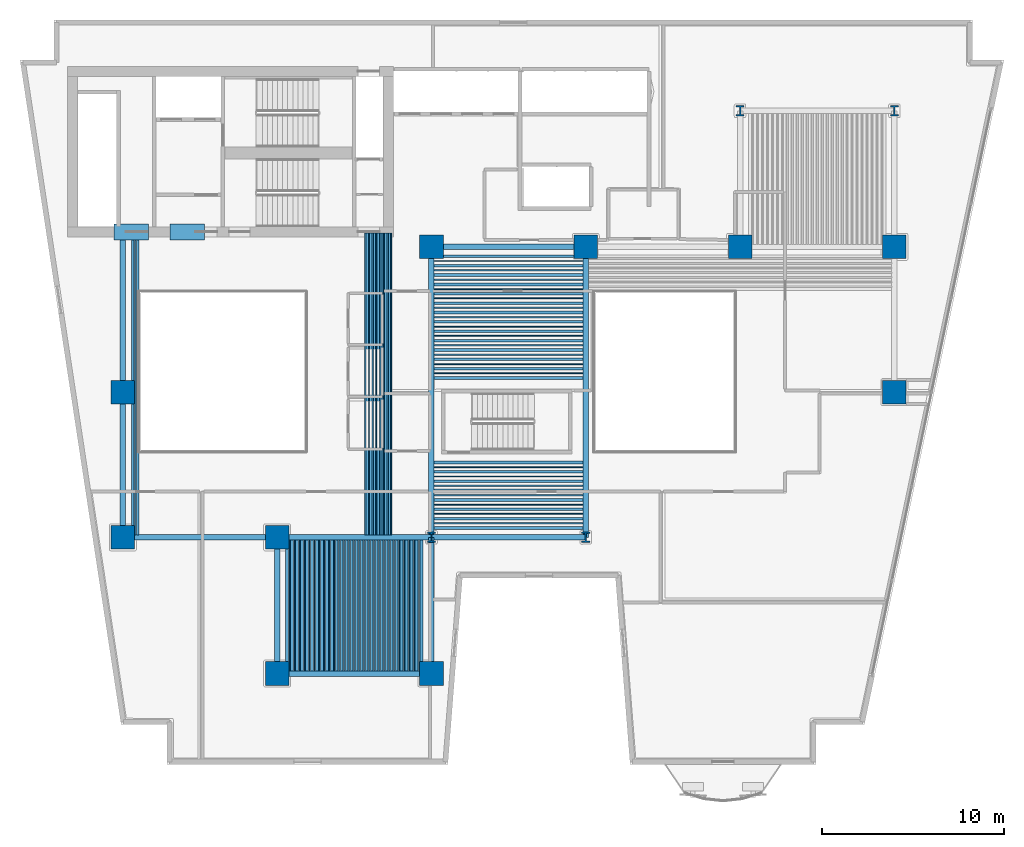
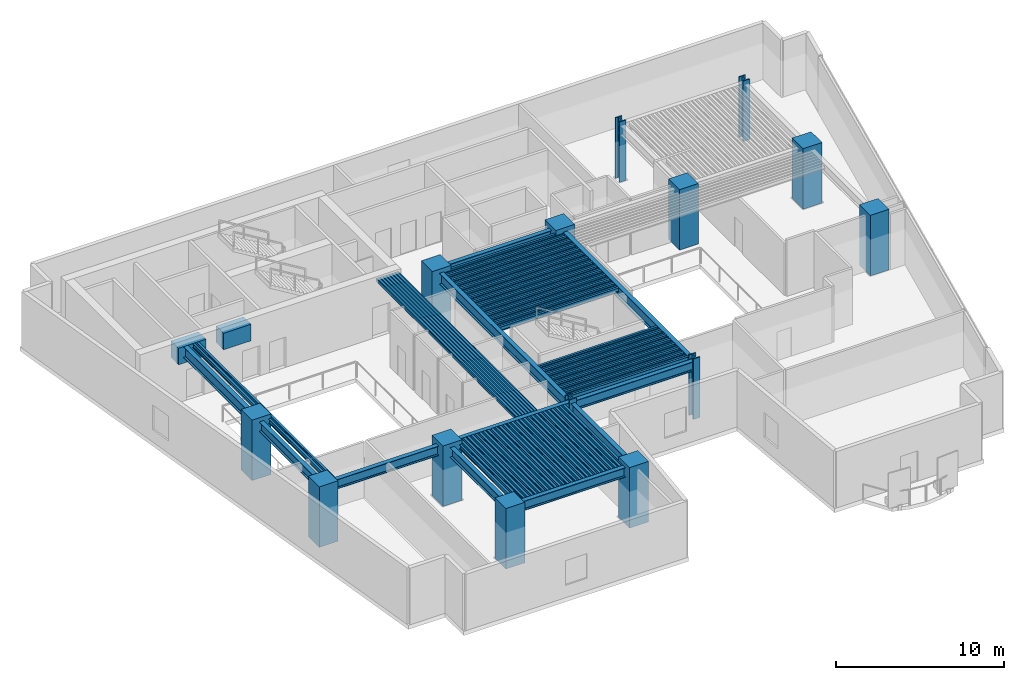
# One storey, part 1 of 11: 128 beams, 14 columns.
"""IFC4 building model written with IfcOpenShell, lengths in metres."""

import ifcopenshell
import ifcopenshell.guid

model = None  # the IFC model being written
_history = None  # IfcOwnerHistory: only IFC2X3 demands one
_inside = {}  # id of a spatial element -> (the spatial element, [elements in it])
_under = {}  # id of a project, library or spatial element -> (it, [spatial elements below it])
_declared = {}  # id of a project -> (the project, [libraries it declares])
_typed = {}  # id of a type object -> (the type object, [elements of that type])
_made_of = {}  # id of a material, layer set ... -> (it, [elements and type objects made of it])


def new_model(schema):
    """Start an empty IFC model of exactly this schema.

    Asked for "IFC4X3", IfcOpenShell would pick the latest addendum, in which some entities
    have other attributes; the version numbers below select the first issue.
    IFC2X3 requires an IfcOwnerHistory on every rooted entity: one is made here for all.
    """
    global model, _history
    if schema == "IFC4X3":
        model = ifcopenshell.file(schema_version=(4, 3, 0, 0))
    else:
        model = ifcopenshell.file(schema=schema)
    _inside.clear()
    _under.clear()
    _declared.clear()
    _typed.clear()
    _made_of.clear()
    _history = None
    if model.schema == "IFC2X3":
        org = make("IfcOrganization", Name="unknown")
        user = make(
            "IfcPersonAndOrganization",
            ThePerson=make("IfcPerson", FamilyName="unknown"),
            TheOrganization=org,
        )
        app = make(
            "IfcApplication",
            ApplicationDeveloper=org,
            Version="unknown",
            ApplicationFullName="unknown",
            ApplicationIdentifier="unknown",
        )
        _history = make(
            "IfcOwnerHistory",
            OwningUser=user,
            OwningApplication=app,
            ChangeAction="ADDED",
            CreationDate=0,
        )
    return model


def make(cls, **values):
    """One entity of the class cls with the attributes given. An attribute that is None is left unset."""
    return model.create_entity(
        cls, **{name: value for name, value in values.items() if value is not None}
    )


def rooted(cls, **values):
    """An entity with a GlobalId (a new one), such as an element, a storey or a relation."""
    return make(cls, GlobalId=ifcopenshell.guid.new(), OwnerHistory=_history, **values)


def si_unit(unit_type, name, prefix=None):
    """IfcSIUnit, for example si_unit("LENGTHUNIT", "METRE", prefix="MILLI")."""
    return make("IfcSIUnit", UnitType=unit_type, Prefix=prefix, Name=name)


def assignment(units):
    """IfcUnitAssignment: the units of a project."""
    return None if units is None else make("IfcUnitAssignment", Units=units)


def point(xyz):
    """IfcCartesianPoint."""
    return None if xyz is None else make("IfcCartesianPoint", Coordinates=xyz)


def direction(xyz):
    """IfcDirection."""
    return None if xyz is None else make("IfcDirection", DirectionRatios=xyz)


def frame(location, z_axis=None, x_axis=None):
    """IfcAxis2Placement3D, a coordinate frame: its origin and axes. An axis left out is left unset."""
    return make(
        "IfcAxis2Placement3D",
        Location=point(location),
        Axis=direction(z_axis),
        RefDirection=direction(x_axis),
    )


def frame_2d(location, x_axis=None):
    """IfcAxis2Placement2D, a coordinate frame in the plane: its origin and x axis."""
    return make(
        "IfcAxis2Placement2D", Location=point(location), RefDirection=direction(x_axis)
    )


def origin():
    """The frame at (0, 0, 0) with its axes left unset."""
    return frame((0.0, 0.0, 0.0))


def origin_2d():
    """The frame at (0, 0) in the plane with its x axis left unset."""
    return frame_2d((0.0, 0.0))


def place(relative_to, where):
    """IfcLocalPlacement: puts the frame where relative to a parent placement (None: the world)."""
    return make(
        "IfcLocalPlacement", PlacementRelTo=relative_to, RelativePlacement=where
    )


def context(
    kind, dimensions, precision=None, world=None, true_north=None, identifier=None
):
    """IfcGeometricRepresentationContext, for example the 3D "Model" context."""
    return make(
        "IfcGeometricRepresentationContext",
        ContextIdentifier=identifier,
        ContextType=kind,
        CoordinateSpaceDimension=dimensions,
        Precision=precision,
        WorldCoordinateSystem=world,
        TrueNorth=true_north,
    )


def subcontext(parent, identifier, kind, view, scale=None):
    """IfcGeometricRepresentationSubContext, for example "Body" below "Model"."""
    return make(
        "IfcGeometricRepresentationSubContext",
        ContextIdentifier=identifier,
        ContextType=kind,
        ParentContext=parent,
        TargetScale=scale,
        TargetView=view,
    )


def project(units=None, contexts=None):
    """IfcProject with its units and contexts."""
    return rooted(
        "IfcProject",
        Name="project",
        RepresentationContexts=contexts,
        UnitsInContext=assignment(units),
    )


def spatial(cls, under=None, at=None, **own):
    """A site, building, storey or space (cls), placed at a placement, below another one or the project."""
    s = rooted(cls, ObjectPlacement=at, **own)
    if under is not None:
        _under.setdefault(under.id(), (under, []))[1].append(s)
    return s


def profile(cls, at=None, kind="AREA", **sizes):
    """A parametric profile (cls). Its sizes go by their IFC names, for example OverallWidth=200.0."""
    return make(cls, ProfileType=kind, Position=at, **sizes)


def rectangle(**sizes):
    """IfcRectangleProfileDef."""
    return profile("IfcRectangleProfileDef", **sizes)


def hollow_rectangle(**sizes):
    """IfcRectangleHollowProfileDef."""
    return profile("IfcRectangleHollowProfileDef", **sizes)


def i_section(**sizes):
    """IfcIShapeProfileDef."""
    return profile("IfcIShapeProfileDef", **sizes)


def extrude(swept, where, along, depth):
    """IfcExtrudedAreaSolid: the profile swept, set in the frame where, extruded along a direction by depth."""
    return make(
        "IfcExtrudedAreaSolid",
        SweptArea=swept,
        Position=where,
        ExtrudedDirection=direction(along),
        Depth=depth,
    )


def shape(context_of_items, identifier, shape_type, items):
    """IfcShapeRepresentation: the items that make up one representation, for example the "Body"."""
    return make(
        "IfcShapeRepresentation",
        ContextOfItems=context_of_items,
        RepresentationIdentifier=identifier,
        RepresentationType=shape_type,
        Items=items,
    )


def material(Name=None, Category=None):
    """IfcMaterial."""
    return make("IfcMaterial", Name=Name, Category=Category)


def material_profile(
    of_material, cross_section, Name=None, Category=None, Priority=None
):
    """IfcMaterialProfile: a cross section and its material."""
    return make(
        "IfcMaterialProfile",
        Name=Name,
        Material=of_material,
        Profile=cross_section,
        Priority=Priority,
        Category=Category,
    )


def profile_set(profiles, Name=None, composite=None):
    """IfcMaterialProfileSet."""
    return make(
        "IfcMaterialProfileSet",
        Name=Name,
        MaterialProfiles=profiles,
        CompositeProfile=composite,
    )


def made_of(thing, what):
    """Note that an element or type object is made of a material, layer set ...; save() writes the relation."""
    if what is not None:
        _made_of.setdefault(what.id(), (what, []))[1].append(thing)
    return thing


def type_object(cls, material=None, **own):
    """A type object (cls), such as IfcWallType, which elements share."""
    return made_of(rooted(cls, **own), material)


def element(
    cls,
    number,
    at=None,
    inside=None,
    cuts=None,
    type_object=None,
    material=None,
    context=None,
    identifier="Body",
    shape_type=None,
    held_by="IfcProductDefinitionShape",
    body=None,
    shapes=None,
    **own,
):
    """One element of the class cls, such as IfcWall. Its Tag is "e" and its number.

    at: its placement. inside: the storey or other place that contains it. cuts: it is an
    opening in that element (IfcRelVoidsElement). A single representation is given by context,
    identifier, shape_type and body (its items); several are given by shapes. held_by: the class
    of the entity that holds the representations. save() writes the other relations.
    """
    e = rooted(cls, Tag="e%d" % number, ObjectPlacement=at, **own)
    if body is not None:
        shapes = [shape(context, identifier, shape_type, body)]
    if shapes is not None:
        e.Representation = make(held_by, Representations=shapes)
    if inside is not None:
        _inside.setdefault(inside.id(), (inside, []))[1].append(e)
    if cuts is not None:
        rooted(
            "IfcRelVoidsElement", RelatingBuildingElement=cuts, RelatedOpeningElement=e
        )
    if type_object is not None:
        _typed.setdefault(type_object.id(), (type_object, []))[1].append(e)
    return made_of(e, material)


def aggregate(whole, parts):
    """IfcRelAggregates: a whole, such as a stair, and the parts it consists of."""
    return rooted("IfcRelAggregates", RelatingObject=whole, RelatedObjects=parts)


def save(model, path):
    """Write the relations noted so far, then the file.

    IfcRelAggregates (storeys below a building ...), IfcRelContainedInSpatialStructure (elements
    in a storey), IfcRelDefinesByType, IfcRelAssociatesMaterial and IfcRelDeclares: one each for
    every whole, place, type object, material and project.
    """
    for whole, parts in _under.values():
        aggregate(whole, parts)
    for where, things in _inside.values():
        rooted(
            "IfcRelContainedInSpatialStructure",
            RelatedElements=things,
            RelatingStructure=where,
        )
    for kind, things in _typed.values():
        rooted("IfcRelDefinesByType", RelatedObjects=things, RelatingType=kind)
    for what, things in _made_of.values():
        rooted("IfcRelAssociatesMaterial", RelatedObjects=things, RelatingMaterial=what)
    for by, libraries in _declared.values():
        rooted("IfcRelDeclares", RelatingContext=by, RelatedDefinitions=libraries)
    model.write(path)


model = new_model("IFC4")

# Units and contexts
model_context = context("Model", 3, precision=1e-05, world=origin(), true_north=direction((0.0, 1.0)))
body_context = subcontext(model_context, "Body", "Model", "MODEL_VIEW")
ifc_project = project(units=[si_unit("LENGTHUNIT", "METRE"), si_unit("AREAUNIT", "SQUARE_METRE"), si_unit("VOLUMEUNIT", "CUBIC_METRE"), si_unit("PLANEANGLEUNIT", "RADIAN"), si_unit("MASSUNIT", "GRAM", prefix="KILO")], contexts=[model_context])

# Site, building, storey
site_placement = place(None, origin())
site = spatial("IfcSite", under=ifc_project, at=site_placement, CompositionType="ELEMENT")
building_placement = place(site_placement, origin())
building = spatial("IfcBuilding", under=site, at=building_placement, Name="Caeloran Harvest Quay", CompositionType="ELEMENT")
storey_placement = place(building_placement, frame((0.0, 0.0, 49.0)))
storey = spatial("IfcBuildingStorey", under=building, at=storey_placement, Name="L11", CompositionType="ELEMENT", Elevation=49.0)

# Columns
ifc_material_1 = material(Name="Concrete C80/95", Category="concrete")
ifc_material_profile_1 = material_profile(ifc_material_1, rectangle(XDim=1.300048828125, YDim=1.300048828125, at=origin_2d()), Name="RC 1300x1300")
ifc_profile_set_1 = profile_set([ifc_material_profile_1], Name="Concrete C80/95")
column_type_1 = type_object("IfcColumnType", Name="COL-MC-2-RC_1300x1300", PredefinedType="COLUMN", material=ifc_profile_set_1)
for number, where, z_axis, x_axis, name in (
    (1, (8.5, 15.0, 0.0), (0.0, 0.0, 1.0), (1.0, 0.0, 0.0), "L11 Structural Column (8.5, 15.0)"),
    (2, (8.5, 23.0, 0.0), (0.0, 0.0, 1.0), (1.0, 0.0, 0.0), "L11 Structural Column (8.5, 23.0)"),
    (3, (17.0, 7.5, 0.0), (0.0, 0.0, 1.0), (1.0, 0.0, 0.0), "L11 Structural Column (17.0, 7.5)"),
    (4, (17.0, 15.0, 0.0), (0.0, 0.0, 1.0), (1.0, 0.0, 0.0), "L11 Structural Column (17.0, 15.0)"),
    (5, (25.5, 7.5, 0.0), (0.0, 0.0, 1.0), (1.0, 0.0, 0.0), "L11 Structural Column (25.5, 7.5)"),
    (6, (25.5, 31.0, 0.0), (0.0, 0.0, 1.0), (1.0, 0.0, 0.0), "L11 Structural Column (25.5, 31.0)"),
    (7, (34.0, 31.0, 0.0), (0.0, 0.0, 1.0), (1.0, 0.0, 0.0), "L11 Structural Column (34.0, 31.0)"),
    (8, (42.5, 31.0, 0.0), (0.0, 0.0, 1.0), (1.0, 0.0, 0.0), "L11 Structural Column (42.5, 31.0)"),
    (9, (51.0, 23.0, 0.0), (0.0, 0.0, 1.0), (1.0, 0.0, 0.0), "L11 Structural Column (51.0, 23.0)"),
    (10, (51.0, 31.0, 0.0), (0.0, 0.0, 1.0), (1.0, 0.0, 0.0), "L11 Structural Column (51.0, 31.0)"),
):
    element("IfcColumn", number, at=place(storey_placement, frame(where, z_axis=z_axis, x_axis=x_axis)), inside=storey, type_object=column_type_1, Name=name, PredefinedType="COLUMN", context=body_context, shape_type="SweptSolid", body=[
        extrude(rectangle(XDim=1.300048828125, YDim=1.300048828125, at=origin_2d()), origin(), (0.0, 0.0, 1.0), 4.39990234375),
    ])
ifc_material_2 = material(Name="Steel HISTAR 460", Category="steel")
ifc_material_profile_2 = material_profile(ifc_material_2, i_section(OverallWidth=0.4541015625, OverallDepth=0.569091796875, WebThickness=0.077880859375, FlangeThickness=0.080078125, FilletRadius=0.014892578125, at=origin_2d()), Name="HD 400x1086")
ifc_profile_set_2 = profile_set([ifc_material_profile_2], Name="Steel HISTAR 460")
column_type_2 = type_object("IfcColumnType", Name="COL-SC-1-HD_400x1086", PredefinedType="COLUMN", material=ifc_profile_set_2)
for number, where, z_axis, x_axis, name in (
    (11, (25.5, 15.0, 0.0), (0.0, 0.0, 1.0), (1.0, 0.0, 0.0), "L11 Structural Column (25.5, 15.0)"),
    (12, (34.0, 15.0, 0.0), (0.0, 0.0, 1.0), (1.0, 0.0, 0.0), "L11 Structural Column (34.0, 15.0)"),
    (13, (42.5, 38.5, 0.0), (0.0, 0.0, 1.0), (1.0, 0.0, 0.0), "L11 Structural Column (42.5, 38.5)"),
    (14, (51.0, 38.5, 0.0), (0.0, 0.0, 1.0), (1.0, 0.0, 0.0), "L11 Structural Column (51.0, 38.5)"),
):
    element("IfcColumn", number, at=place(storey_placement, frame(where, z_axis=z_axis, x_axis=x_axis)), inside=storey, type_object=column_type_2, Name=name, PredefinedType="COLUMN", context=body_context, shape_type="SweptSolid", body=[
        extrude(i_section(OverallWidth=0.4541015625, OverallDepth=0.569091796875, WebThickness=0.077880859375, FlangeThickness=0.080078125, FilletRadius=0.014892578125, at=origin_2d()), origin(), (0.0, 0.0, 1.0), 4.39990234375),
    ])

# Beams
ifc_material_profile_3 = material_profile(ifc_material_1, rectangle(XDim=0.89990234375, YDim=1.199951171875, at=origin_2d()), Name="RC 900x1200")
ifc_profile_set_3 = profile_set([ifc_material_profile_3], Name="Concrete C80/95")
beam_type_1 = type_object("IfcBeamType", Name="BM-CB-1-RC_900x1200", PredefinedType="LINTEL", material=ifc_profile_set_3)
for number, where, z_axis, x_axis, name in (
    (15, (8.0, 31.824951171875, 3.5), (1.0, 0.0, 0.0), (0.0, 1.0, 0.0), "L11 Core Coupling Beam 1"),
    (16, (11.10009765625, 31.824951171875, 3.5), (1.0, 0.0, 0.0), (0.0, 1.0, 0.0), "L11 Core Coupling Beam 2"),
):
    element("IfcBeam", number, at=place(storey_placement, frame(where, z_axis=z_axis, x_axis=x_axis)), inside=storey, type_object=beam_type_1, Name=name, PredefinedType="LINTEL", context=body_context, shape_type="SweptSolid", body=[
        extrude(rectangle(XDim=0.89990234375, YDim=1.199951171875, at=origin_2d()), origin(), (0.0, 0.0, 1.0), 1.89990234375),
    ])
ifc_material_3 = material(Name="Steel S355J2", Category="steel")
ifc_material_profile_4 = material_profile(ifc_material_3, i_section(OverallWidth=0.300048828125, OverallDepth=0.800048828125, WebThickness=0.017578125, FlangeThickness=0.032958984375, FilletRadius=0.030029296875, at=origin_2d()), Name="HE 800 B")
ifc_profile_set_4 = profile_set([ifc_material_profile_4], Name="Steel S355J2")
beam_type_2 = type_object("IfcBeamType", Name="BM-PG-1-HE_800_B", PredefinedType="BEAM", material=ifc_profile_set_4)
beam_1_placement = place(storey_placement, frame((8.5, 23.0, 3.699951171875), z_axis=(0.0, 1.0, 0.0), x_axis=(-1.0, 0.0, 0.0)))
element("IfcBeam", 17, at=beam_1_placement, inside=storey, type_object=beam_type_2, Name="L11 Core South Tie Girder X=8.5", PredefinedType="BEAM", context=body_context, shape_type="SweptSolid", body=[
    extrude(i_section(OverallWidth=0.300048828125, OverallDepth=0.800048828125, WebThickness=0.017578125, FlangeThickness=0.032958984375, FilletRadius=0.030029296875, at=origin_2d()), origin(), (0.0, 0.0, 1.0), 8.77490234375),
])
for number, where, z_axis, x_axis, name in (
    (18, (25.5, 15.0, 3.699951171875), (0.0, 1.0, 0.0), (-1.0, 0.0, 0.0), "L11 Primary North-South Girder X=25.5"),
    (19, (34.0, 15.0, 3.699951171875), (0.0, 1.0, 0.0), (-1.0, 0.0, 0.0), "L11 Primary North-South Girder X=34.0"),
):
    element("IfcBeam", number, at=place(storey_placement, frame(where, z_axis=z_axis, x_axis=x_axis)), inside=storey, type_object=beam_type_2, Name=name, PredefinedType="BEAM", context=body_context, shape_type="SweptSolid", body=[
        extrude(i_section(OverallWidth=0.300048828125, OverallDepth=0.800048828125, WebThickness=0.017578125, FlangeThickness=0.032958984375, FilletRadius=0.030029296875, at=origin_2d()), origin(), (0.0, 0.0, 1.0), 16.0),
    ])
ifc_material_profile_5 = material_profile(ifc_material_3, i_section(OverallWidth=0.300048828125, OverallDepth=0.699951171875, WebThickness=0.01708984375, FlangeThickness=0.031982421875, FilletRadius=0.027099609375, at=origin_2d()), Name="HE 700 B")
ifc_profile_set_5 = profile_set([ifc_material_profile_5], Name="Steel S355J2")
beam_type_3 = type_object("IfcBeamType", Name="BM-PG-2-HE_700_B", PredefinedType="BEAM", material=ifc_profile_set_5)
for number, where, z_axis, x_axis, name in (
    (20, (17.0, 7.5, 3.75), (1.0, 0.0, 0.0), (0.0, 1.0, 0.0), "L11 Primary East-West Girder Y=7.5"),
    (21, (8.5, 15.0, 3.75), (1.0, 0.0, 0.0), (0.0, 1.0, 0.0), "L11 Primary East-West Girder Y=15.0"),
    (22, (17.0, 15.0, 3.75), (1.0, 0.0, 0.0), (0.0, 1.0, 0.0), "L11 Primary East-West Girder Y=15.0"),
    (23, (25.5, 15.0, 3.75), (1.0, 0.0, 0.0), (0.0, 1.0, 0.0), "L11 Primary East-West Girder Y=15.0"),
    (24, (25.5, 31.0, 3.75), (1.0, 0.0, 0.0), (0.0, 1.0, 0.0), "L11 Primary East-West Girder Y=31.0"),
):
    element("IfcBeam", number, at=place(storey_placement, frame(where, z_axis=z_axis, x_axis=x_axis)), inside=storey, type_object=beam_type_3, Name=name, PredefinedType="BEAM", context=body_context, shape_type="SweptSolid", body=[
        extrude(i_section(OverallWidth=0.300048828125, OverallDepth=0.699951171875, WebThickness=0.01708984375, FlangeThickness=0.031982421875, FilletRadius=0.027099609375, at=origin_2d()), origin(), (0.0, 0.0, 1.0), 8.5),
    ])
beam_2_placement = place(storey_placement, frame((8.5, 15.0, 3.75), z_axis=(0.0, 1.0, 0.0), x_axis=(-1.0, 0.0, 0.0)))
element("IfcBeam", 25, at=beam_2_placement, inside=storey, type_object=beam_type_3, Name="L11 Primary North-South Girder X=8.5", PredefinedType="BEAM", context=body_context, shape_type="SweptSolid", body=[
    extrude(i_section(OverallWidth=0.300048828125, OverallDepth=0.699951171875, WebThickness=0.01708984375, FlangeThickness=0.031982421875, FilletRadius=0.027099609375, at=origin_2d()), origin(), (0.0, 0.0, 1.0), 8.0),
])
for number, where, z_axis, x_axis, name in (
    (26, (17.0, 7.5, 3.75), (0.0, 1.0, 0.0), (-1.0, 0.0, 0.0), "L11 Primary North-South Girder X=17.0"),
    (27, (25.5, 7.5, 3.75), (0.0, 1.0, 0.0), (-1.0, 0.0, 0.0), "L11 Primary North-South Girder X=25.5"),
):
    element("IfcBeam", number, at=place(storey_placement, frame(where, z_axis=z_axis, x_axis=x_axis)), inside=storey, type_object=beam_type_3, Name=name, PredefinedType="BEAM", context=body_context, shape_type="SweptSolid", body=[
        extrude(i_section(OverallWidth=0.300048828125, OverallDepth=0.699951171875, WebThickness=0.01708984375, FlangeThickness=0.031982421875, FilletRadius=0.027099609375, at=origin_2d()), origin(), (0.0, 0.0, 1.0), 7.5),
    ])
ifc_material_profile_6 = material_profile(ifc_material_3, i_section(OverallWidth=0.14990234375, OverallDepth=0.300048828125, WebThickness=0.007080078125, FlangeThickness=0.0107421875, FilletRadius=0.014892578125, at=origin_2d()), Name="IPE 300")
ifc_profile_set_6 = profile_set([ifc_material_profile_6], Name="Steel S355J2")
beam_type_4 = type_object("IfcBeamType", Name="BM-SB-6-IPE_300", PredefinedType="JOIST", material=ifc_profile_set_6)
for number, where, z_axis, x_axis, name in (
    (28, (17.54833984375, 7.64501953125, 3.949951171875), (0.0, 1.0, 0.0), (-1.0, 0.0, 0.0), "L11 Secondary Composite Joist"),
    (29, (17.822509765625, 7.64501953125, 3.949951171875), (0.0, 1.0, 0.0), (-1.0, 0.0, 0.0), "L11 Secondary Composite Joist"),
    (30, (18.0966796875, 7.64501953125, 3.949951171875), (0.0, 1.0, 0.0), (-1.0, 0.0, 0.0), "L11 Secondary Composite Joist"),
    (31, (18.37109375, 7.64501953125, 3.949951171875), (0.0, 1.0, 0.0), (-1.0, 0.0, 0.0), "L11 Secondary Composite Joist"),
    (32, (18.645263671875, 7.64501953125, 3.949951171875), (0.0, 1.0, 0.0), (-1.0, 0.0, 0.0), "L11 Secondary Composite Joist"),
    (33, (18.91943359375, 7.64501953125, 3.949951171875), (0.0, 1.0, 0.0), (-1.0, 0.0, 0.0), "L11 Secondary Composite Joist"),
    (34, (19.193603515625, 7.64501953125, 3.949951171875), (0.0, 1.0, 0.0), (-1.0, 0.0, 0.0), "L11 Secondary Composite Joist"),
    (35, (19.4677734375, 7.64501953125, 3.949951171875), (0.0, 1.0, 0.0), (-1.0, 0.0, 0.0), "L11 Secondary Composite Joist"),
    (36, (19.741943359375, 7.64501953125, 3.949951171875), (0.0, 1.0, 0.0), (-1.0, 0.0, 0.0), "L11 Secondary Composite Joist"),
    (37, (20.01611328125, 7.64501953125, 3.949951171875), (0.0, 1.0, 0.0), (-1.0, 0.0, 0.0), "L11 Secondary Composite Joist"),
    (38, (20.290283203125, 7.64501953125, 3.949951171875), (0.0, 1.0, 0.0), (-1.0, 0.0, 0.0), "L11 Secondary Composite Joist"),
    (39, (20.564453125, 7.64501953125, 3.949951171875), (0.0, 1.0, 0.0), (-1.0, 0.0, 0.0), "L11 Secondary Composite Joist"),
    (40, (20.838623046875, 7.64501953125, 3.949951171875), (0.0, 1.0, 0.0), (-1.0, 0.0, 0.0), "L11 Secondary Composite Joist"),
    (41, (21.11279296875, 7.64501953125, 3.949951171875), (0.0, 1.0, 0.0), (-1.0, 0.0, 0.0), "L11 Secondary Composite Joist"),
    (42, (21.38720703125, 7.64501953125, 3.949951171875), (0.0, 1.0, 0.0), (-1.0, 0.0, 0.0), "L11 Secondary Composite Joist"),
    (43, (21.661376953125, 7.64501953125, 3.949951171875), (0.0, 1.0, 0.0), (-1.0, 0.0, 0.0), "L11 Secondary Composite Joist"),
    (44, (21.935546875, 7.64501953125, 3.949951171875), (0.0, 1.0, 0.0), (-1.0, 0.0, 0.0), "L11 Secondary Composite Joist"),
    (45, (22.209716796875, 7.64501953125, 3.949951171875), (0.0, 1.0, 0.0), (-1.0, 0.0, 0.0), "L11 Secondary Composite Joist"),
    (46, (22.48388671875, 7.64501953125, 3.949951171875), (0.0, 1.0, 0.0), (-1.0, 0.0, 0.0), "L11 Secondary Composite Joist"),
    (47, (22.758056640625, 7.64501953125, 3.949951171875), (0.0, 1.0, 0.0), (-1.0, 0.0, 0.0), "L11 Secondary Composite Joist"),
    (48, (23.0322265625, 7.64501953125, 3.949951171875), (0.0, 1.0, 0.0), (-1.0, 0.0, 0.0), "L11 Secondary Composite Joist"),
    (49, (23.306396484375, 7.64501953125, 3.949951171875), (0.0, 1.0, 0.0), (-1.0, 0.0, 0.0), "L11 Secondary Composite Joist"),
    (50, (23.58056640625, 7.64501953125, 3.949951171875), (0.0, 1.0, 0.0), (-1.0, 0.0, 0.0), "L11 Secondary Composite Joist"),
    (51, (23.854736328125, 7.64501953125, 3.949951171875), (0.0, 1.0, 0.0), (-1.0, 0.0, 0.0), "L11 Secondary Composite Joist"),
    (52, (24.12890625, 7.64501953125, 3.949951171875), (0.0, 1.0, 0.0), (-1.0, 0.0, 0.0), "L11 Secondary Composite Joist"),
    (53, (24.4033203125, 7.64501953125, 3.949951171875), (0.0, 1.0, 0.0), (-1.0, 0.0, 0.0), "L11 Secondary Composite Joist"),
    (54, (24.677490234375, 7.64501953125, 3.949951171875), (0.0, 1.0, 0.0), (-1.0, 0.0, 0.0), "L11 Secondary Composite Joist"),
    (55, (24.95166015625, 7.64501953125, 3.949951171875), (0.0, 1.0, 0.0), (-1.0, 0.0, 0.0), "L11 Secondary Composite Joist"),
):
    element("IfcBeam", number, at=place(storey_placement, frame(where, z_axis=z_axis, x_axis=x_axis)), inside=storey, type_object=beam_type_4, Name=name, PredefinedType="JOIST", context=body_context, shape_type="SweptSolid", body=[
        extrude(i_section(OverallWidth=0.14990234375, OverallDepth=0.300048828125, WebThickness=0.007080078125, FlangeThickness=0.0107421875, FilletRadius=0.014892578125, at=origin_2d()), origin(), (0.0, 0.0, 1.0), 7.2099609375),
    ])
for number, where, z_axis, x_axis, name in (
    (56, (9.04833984375, 15.14501953125, 3.949951171875), (0.0, 1.0, 0.0), (-1.0, 0.0, 0.0), "L11 Secondary Composite Joist"),
    (57, (9.322509765625, 15.14501953125, 3.949951171875), (0.0, 1.0, 0.0), (-1.0, 0.0, 0.0), "L11 Secondary Composite Joist"),
    (58, (21.954833984375, 15.14501953125, 3.949951171875), (0.0, 1.0, 0.0), (-1.0, 0.0, 0.0), "L11 Secondary Composite Joist"),
    (59, (22.161376953125, 15.14501953125, 3.949951171875), (0.0, 1.0, 0.0), (-1.0, 0.0, 0.0), "L11 Secondary Composite Joist"),
    (60, (22.36767578125, 15.14501953125, 3.949951171875), (0.0, 1.0, 0.0), (-1.0, 0.0, 0.0), "L11 Secondary Composite Joist"),
    (61, (22.57421875, 15.14501953125, 3.949951171875), (0.0, 1.0, 0.0), (-1.0, 0.0, 0.0), "L11 Secondary Composite Joist"),
    (62, (22.780517578125, 15.14501953125, 3.949951171875), (0.0, 1.0, 0.0), (-1.0, 0.0, 0.0), "L11 Secondary Composite Joist"),
    (63, (22.987060546875, 15.14501953125, 3.949951171875), (0.0, 1.0, 0.0), (-1.0, 0.0, 0.0), "L11 Secondary Composite Joist"),
    (64, (23.193603515625, 15.14501953125, 3.949951171875), (0.0, 1.0, 0.0), (-1.0, 0.0, 0.0), "L11 Secondary Composite Joist"),
):
    element("IfcBeam", number, at=place(storey_placement, frame(where, z_axis=z_axis, x_axis=x_axis)), inside=storey, type_object=beam_type_4, Name=name, PredefinedType="JOIST", context=body_context, shape_type="SweptSolid", body=[
        extrude(i_section(OverallWidth=0.14990234375, OverallDepth=0.300048828125, WebThickness=0.007080078125, FlangeThickness=0.0107421875, FilletRadius=0.014892578125, at=origin_2d()), origin(), (0.0, 0.0, 1.0), 16.6298828125),
    ])
for number, where, z_axis, x_axis, name in (
    (65, (25.64501953125, 15.51611328125, 3.949951171875), (1.0, 0.0, 0.0), (0.0, 1.0, 0.0), "L11 Secondary East-West Composite Joist"),
    (66, (25.64501953125, 16.0322265625, 3.949951171875), (1.0, 0.0, 0.0), (0.0, 1.0, 0.0), "L11 Secondary East-West Composite Joist"),
    (67, (25.64501953125, 16.54833984375, 3.949951171875), (1.0, 0.0, 0.0), (0.0, 1.0, 0.0), "L11 Secondary East-West Composite Joist"),
    (68, (25.64501953125, 17.064453125, 3.949951171875), (1.0, 0.0, 0.0), (0.0, 1.0, 0.0), "L11 Secondary East-West Composite Joist"),
    (69, (25.64501953125, 17.58056640625, 3.949951171875), (1.0, 0.0, 0.0), (0.0, 1.0, 0.0), "L11 Secondary East-West Composite Joist"),
    (70, (25.64501953125, 18.0966796875, 3.949951171875), (1.0, 0.0, 0.0), (0.0, 1.0, 0.0), "L11 Secondary East-West Composite Joist"),
    (71, (25.64501953125, 18.61279296875, 3.949951171875), (1.0, 0.0, 0.0), (0.0, 1.0, 0.0), "L11 Secondary East-West Composite Joist"),
    (72, (25.64501953125, 19.12890625, 3.949951171875), (1.0, 0.0, 0.0), (0.0, 1.0, 0.0), "L11 Secondary East-West Composite Joist"),
    (73, (25.64501953125, 23.774169921875, 3.949951171875), (1.0, 0.0, 0.0), (0.0, 1.0, 0.0), "L11 Secondary East-West Composite Joist"),
    (74, (25.64501953125, 24.290283203125, 3.949951171875), (1.0, 0.0, 0.0), (0.0, 1.0, 0.0), "L11 Secondary East-West Composite Joist"),
    (75, (25.64501953125, 24.806396484375, 3.949951171875), (1.0, 0.0, 0.0), (0.0, 1.0, 0.0), "L11 Secondary East-West Composite Joist"),
    (76, (25.64501953125, 25.322509765625, 3.949951171875), (1.0, 0.0, 0.0), (0.0, 1.0, 0.0), "L11 Secondary East-West Composite Joist"),
    (77, (25.64501953125, 25.838623046875, 3.949951171875), (1.0, 0.0, 0.0), (0.0, 1.0, 0.0), "L11 Secondary East-West Composite Joist"),
    (78, (25.64501953125, 26.354736328125, 3.949951171875), (1.0, 0.0, 0.0), (0.0, 1.0, 0.0), "L11 Secondary East-West Composite Joist"),
    (79, (25.64501953125, 26.87109375, 3.949951171875), (1.0, 0.0, 0.0), (0.0, 1.0, 0.0), "L11 Secondary East-West Composite Joist"),
    (80, (25.64501953125, 27.38720703125, 3.949951171875), (1.0, 0.0, 0.0), (0.0, 1.0, 0.0), "L11 Secondary East-West Composite Joist"),
    (81, (25.64501953125, 27.9033203125, 3.949951171875), (1.0, 0.0, 0.0), (0.0, 1.0, 0.0), "L11 Secondary East-West Composite Joist"),
    (82, (25.64501953125, 28.41943359375, 3.949951171875), (1.0, 0.0, 0.0), (0.0, 1.0, 0.0), "L11 Secondary East-West Composite Joist"),
    (83, (25.64501953125, 28.935546875, 3.949951171875), (1.0, 0.0, 0.0), (0.0, 1.0, 0.0), "L11 Secondary East-West Composite Joist"),
    (84, (25.64501953125, 29.45166015625, 3.949951171875), (1.0, 0.0, 0.0), (0.0, 1.0, 0.0), "L11 Secondary East-West Composite Joist"),
    (85, (25.64501953125, 29.9677734375, 3.949951171875), (1.0, 0.0, 0.0), (0.0, 1.0, 0.0), "L11 Secondary East-West Composite Joist"),
    (86, (25.64501953125, 30.48388671875, 3.949951171875), (1.0, 0.0, 0.0), (0.0, 1.0, 0.0), "L11 Secondary East-West Composite Joist"),
):
    element("IfcBeam", number, at=place(storey_placement, frame(where, z_axis=z_axis, x_axis=x_axis)), inside=storey, type_object=beam_type_4, Name=name, PredefinedType="JOIST", context=body_context, shape_type="SweptSolid", body=[
        extrude(i_section(OverallWidth=0.14990234375, OverallDepth=0.300048828125, WebThickness=0.007080078125, FlangeThickness=0.0107421875, FilletRadius=0.014892578125, at=origin_2d()), origin(), (0.0, 0.0, 1.0), 8.2099609375),
    ])
ifc_material_profile_7 = material_profile(ifc_material_3, hollow_rectangle(XDim=0.080078125, YDim=0.199951171875, WallThickness=0.006103515625, InnerFilletRadius=0.006103515625, OuterFilletRadius=0.009033203125, at=origin_2d()), Name="RHS 200x80x6")
ifc_profile_set_7 = profile_set([ifc_material_profile_7], Name="Steel S355J2")
beam_type_5 = type_object("IfcBeamType", Name="BM-SB-7-RHS_200x80x6", PredefinedType="JOIST", material=ifc_profile_set_7)
for number, where, z_axis, x_axis, name in (
    (87, (17.685546875, 7.64501953125, 4.0), (0.0, 1.0, 0.0), (-1.0, 0.0, 0.0), "L11 Secondary Composite Joist"),
    (88, (17.959716796875, 7.64501953125, 4.0), (0.0, 1.0, 0.0), (-1.0, 0.0, 0.0), "L11 Secondary Composite Joist"),
    (89, (18.23388671875, 7.64501953125, 4.0), (0.0, 1.0, 0.0), (-1.0, 0.0, 0.0), "L11 Secondary Composite Joist"),
    (90, (18.508056640625, 7.64501953125, 4.0), (0.0, 1.0, 0.0), (-1.0, 0.0, 0.0), "L11 Secondary Composite Joist"),
    (91, (18.7822265625, 7.64501953125, 4.0), (0.0, 1.0, 0.0), (-1.0, 0.0, 0.0), "L11 Secondary Composite Joist"),
    (92, (19.056396484375, 7.64501953125, 4.0), (0.0, 1.0, 0.0), (-1.0, 0.0, 0.0), "L11 Secondary Composite Joist"),
    (93, (19.33056640625, 7.64501953125, 4.0), (0.0, 1.0, 0.0), (-1.0, 0.0, 0.0), "L11 Secondary Composite Joist"),
    (94, (19.604736328125, 7.64501953125, 4.0), (0.0, 1.0, 0.0), (-1.0, 0.0, 0.0), "L11 Secondary Composite Joist"),
    (95, (19.87890625, 7.64501953125, 4.0), (0.0, 1.0, 0.0), (-1.0, 0.0, 0.0), "L11 Secondary Composite Joist"),
    (96, (20.1533203125, 7.64501953125, 4.0), (0.0, 1.0, 0.0), (-1.0, 0.0, 0.0), "L11 Secondary Composite Joist"),
    (97, (20.427490234375, 7.64501953125, 4.0), (0.0, 1.0, 0.0), (-1.0, 0.0, 0.0), "L11 Secondary Composite Joist"),
    (98, (20.70166015625, 7.64501953125, 4.0), (0.0, 1.0, 0.0), (-1.0, 0.0, 0.0), "L11 Secondary Composite Joist"),
    (99, (20.975830078125, 7.64501953125, 4.0), (0.0, 1.0, 0.0), (-1.0, 0.0, 0.0), "L11 Secondary Composite Joist"),
    (100, (21.25, 7.64501953125, 4.0), (0.0, 1.0, 0.0), (-1.0, 0.0, 0.0), "L11 Secondary Composite Joist"),
    (101, (21.524169921875, 7.64501953125, 4.0), (0.0, 1.0, 0.0), (-1.0, 0.0, 0.0), "L11 Secondary Composite Joist"),
    (102, (21.79833984375, 7.64501953125, 4.0), (0.0, 1.0, 0.0), (-1.0, 0.0, 0.0), "L11 Secondary Composite Joist"),
    (103, (22.072509765625, 7.64501953125, 4.0), (0.0, 1.0, 0.0), (-1.0, 0.0, 0.0), "L11 Secondary Composite Joist"),
    (104, (22.3466796875, 7.64501953125, 4.0), (0.0, 1.0, 0.0), (-1.0, 0.0, 0.0), "L11 Secondary Composite Joist"),
    (105, (22.62109375, 7.64501953125, 4.0), (0.0, 1.0, 0.0), (-1.0, 0.0, 0.0), "L11 Secondary Composite Joist"),
    (106, (22.895263671875, 7.64501953125, 4.0), (0.0, 1.0, 0.0), (-1.0, 0.0, 0.0), "L11 Secondary Composite Joist"),
    (107, (23.16943359375, 7.64501953125, 4.0), (0.0, 1.0, 0.0), (-1.0, 0.0, 0.0), "L11 Secondary Composite Joist"),
    (108, (23.443603515625, 7.64501953125, 4.0), (0.0, 1.0, 0.0), (-1.0, 0.0, 0.0), "L11 Secondary Composite Joist"),
    (109, (23.7177734375, 7.64501953125, 4.0), (0.0, 1.0, 0.0), (-1.0, 0.0, 0.0), "L11 Secondary Composite Joist"),
    (110, (23.991943359375, 7.64501953125, 4.0), (0.0, 1.0, 0.0), (-1.0, 0.0, 0.0), "L11 Secondary Composite Joist"),
    (111, (24.26611328125, 7.64501953125, 4.0), (0.0, 1.0, 0.0), (-1.0, 0.0, 0.0), "L11 Secondary Composite Joist"),
    (112, (24.540283203125, 7.64501953125, 4.0), (0.0, 1.0, 0.0), (-1.0, 0.0, 0.0), "L11 Secondary Composite Joist"),
    (113, (24.814453125, 7.64501953125, 4.0), (0.0, 1.0, 0.0), (-1.0, 0.0, 0.0), "L11 Secondary Composite Joist"),
):
    element("IfcBeam", number, at=place(storey_placement, frame(where, z_axis=z_axis, x_axis=x_axis)), inside=storey, type_object=beam_type_5, Name=name, PredefinedType="JOIST", context=body_context, shape_type="SweptSolid", body=[
        extrude(hollow_rectangle(XDim=0.080078125, YDim=0.199951171875, WallThickness=0.006103515625, InnerFilletRadius=0.006103515625, OuterFilletRadius=0.009033203125, at=origin_2d()), origin(), (0.0, 0.0, 1.0), 7.2099609375),
    ])
for number, where, z_axis, x_axis, name in (
    (114, (9.185546875, 15.14501953125, 4.0), (0.0, 1.0, 0.0), (-1.0, 0.0, 0.0), "L11 Secondary Composite Joist"),
    (115, (21.8515625, 15.14501953125, 4.0), (0.0, 1.0, 0.0), (-1.0, 0.0, 0.0), "L11 Secondary Composite Joist"),
    (116, (22.05810546875, 15.14501953125, 4.0), (0.0, 1.0, 0.0), (-1.0, 0.0, 0.0), "L11 Secondary Composite Joist"),
    (117, (22.264404296875, 15.14501953125, 4.0), (0.0, 1.0, 0.0), (-1.0, 0.0, 0.0), "L11 Secondary Composite Joist"),
    (118, (22.470947265625, 15.14501953125, 4.0), (0.0, 1.0, 0.0), (-1.0, 0.0, 0.0), "L11 Secondary Composite Joist"),
    (119, (22.677490234375, 15.14501953125, 4.0), (0.0, 1.0, 0.0), (-1.0, 0.0, 0.0), "L11 Secondary Composite Joist"),
    (120, (22.8837890625, 15.14501953125, 4.0), (0.0, 1.0, 0.0), (-1.0, 0.0, 0.0), "L11 Secondary Composite Joist"),
    (121, (23.09033203125, 15.14501953125, 4.0), (0.0, 1.0, 0.0), (-1.0, 0.0, 0.0), "L11 Secondary Composite Joist"),
    (122, (23.296875, 15.14501953125, 4.0), (0.0, 1.0, 0.0), (-1.0, 0.0, 0.0), "L11 Secondary Composite Joist"),
):
    element("IfcBeam", number, at=place(storey_placement, frame(where, z_axis=z_axis, x_axis=x_axis)), inside=storey, type_object=beam_type_5, Name=name, PredefinedType="JOIST", context=body_context, shape_type="SweptSolid", body=[
        extrude(hollow_rectangle(XDim=0.080078125, YDim=0.199951171875, WallThickness=0.006103515625, InnerFilletRadius=0.006103515625, OuterFilletRadius=0.009033203125, at=origin_2d()), origin(), (0.0, 0.0, 1.0), 16.6298828125),
    ])
for number, where, z_axis, x_axis, name in (
    (123, (25.64501953125, 15.774169921875, 4.0), (1.0, 0.0, 0.0), (0.0, 1.0, 0.0), "L11 Secondary East-West Composite Joist"),
    (124, (25.64501953125, 16.290283203125, 4.0), (1.0, 0.0, 0.0), (0.0, 1.0, 0.0), "L11 Secondary East-West Composite Joist"),
    (125, (25.64501953125, 16.806396484375, 4.0), (1.0, 0.0, 0.0), (0.0, 1.0, 0.0), "L11 Secondary East-West Composite Joist"),
    (126, (25.64501953125, 17.322509765625, 4.0), (1.0, 0.0, 0.0), (0.0, 1.0, 0.0), "L11 Secondary East-West Composite Joist"),
    (127, (25.64501953125, 17.838623046875, 4.0), (1.0, 0.0, 0.0), (0.0, 1.0, 0.0), "L11 Secondary East-West Composite Joist"),
    (128, (25.64501953125, 18.354736328125, 4.0), (1.0, 0.0, 0.0), (0.0, 1.0, 0.0), "L11 Secondary East-West Composite Joist"),
    (129, (25.64501953125, 18.87109375, 4.0), (1.0, 0.0, 0.0), (0.0, 1.0, 0.0), "L11 Secondary East-West Composite Joist"),
    (130, (25.64501953125, 24.0322265625, 4.0), (1.0, 0.0, 0.0), (0.0, 1.0, 0.0), "L11 Secondary East-West Composite Joist"),
    (131, (25.64501953125, 24.54833984375, 4.0), (1.0, 0.0, 0.0), (0.0, 1.0, 0.0), "L11 Secondary East-West Composite Joist"),
    (132, (25.64501953125, 25.064453125, 4.0), (1.0, 0.0, 0.0), (0.0, 1.0, 0.0), "L11 Secondary East-West Composite Joist"),
    (133, (25.64501953125, 25.58056640625, 4.0), (1.0, 0.0, 0.0), (0.0, 1.0, 0.0), "L11 Secondary East-West Composite Joist"),
    (134, (25.64501953125, 26.0966796875, 4.0), (1.0, 0.0, 0.0), (0.0, 1.0, 0.0), "L11 Secondary East-West Composite Joist"),
    (135, (25.64501953125, 26.61279296875, 4.0), (1.0, 0.0, 0.0), (0.0, 1.0, 0.0), "L11 Secondary East-West Composite Joist"),
    (136, (25.64501953125, 27.12890625, 4.0), (1.0, 0.0, 0.0), (0.0, 1.0, 0.0), "L11 Secondary East-West Composite Joist"),
    (137, (25.64501953125, 27.645263671875, 4.0), (1.0, 0.0, 0.0), (0.0, 1.0, 0.0), "L11 Secondary East-West Composite Joist"),
    (138, (25.64501953125, 28.161376953125, 4.0), (1.0, 0.0, 0.0), (0.0, 1.0, 0.0), "L11 Secondary East-West Composite Joist"),
    (139, (25.64501953125, 28.677490234375, 4.0), (1.0, 0.0, 0.0), (0.0, 1.0, 0.0), "L11 Secondary East-West Composite Joist"),
    (140, (25.64501953125, 29.193603515625, 4.0), (1.0, 0.0, 0.0), (0.0, 1.0, 0.0), "L11 Secondary East-West Composite Joist"),
    (141, (25.64501953125, 29.709716796875, 4.0), (1.0, 0.0, 0.0), (0.0, 1.0, 0.0), "L11 Secondary East-West Composite Joist"),
    (142, (25.64501953125, 30.225830078125, 4.0), (1.0, 0.0, 0.0), (0.0, 1.0, 0.0), "L11 Secondary East-West Composite Joist"),
):
    element("IfcBeam", number, at=place(storey_placement, frame(where, z_axis=z_axis, x_axis=x_axis)), inside=storey, type_object=beam_type_5, Name=name, PredefinedType="JOIST", context=body_context, shape_type="SweptSolid", body=[
        extrude(hollow_rectangle(XDim=0.080078125, YDim=0.199951171875, WallThickness=0.006103515625, InnerFilletRadius=0.006103515625, OuterFilletRadius=0.009033203125, at=origin_2d()), origin(), (0.0, 0.0, 1.0), 8.2099609375),
    ])

save(model, "model.ifc")
